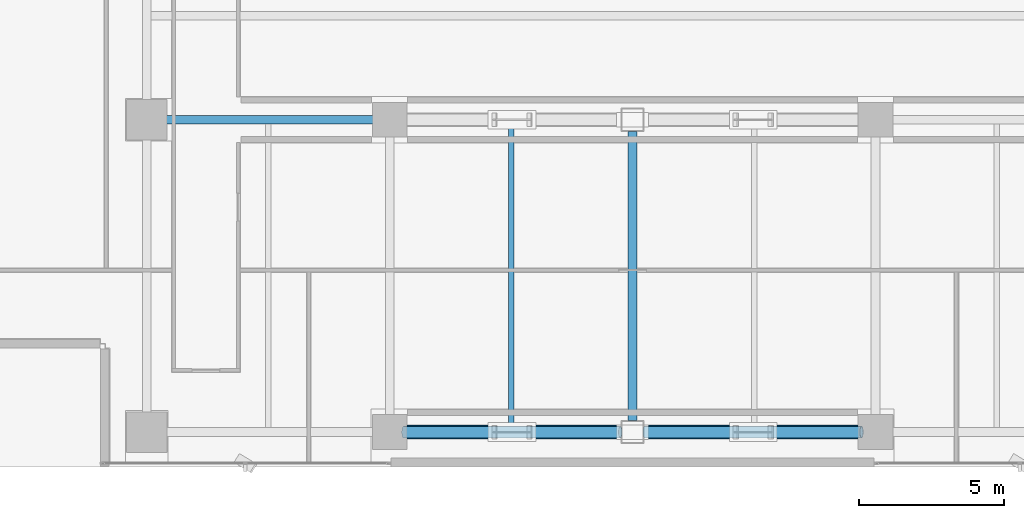
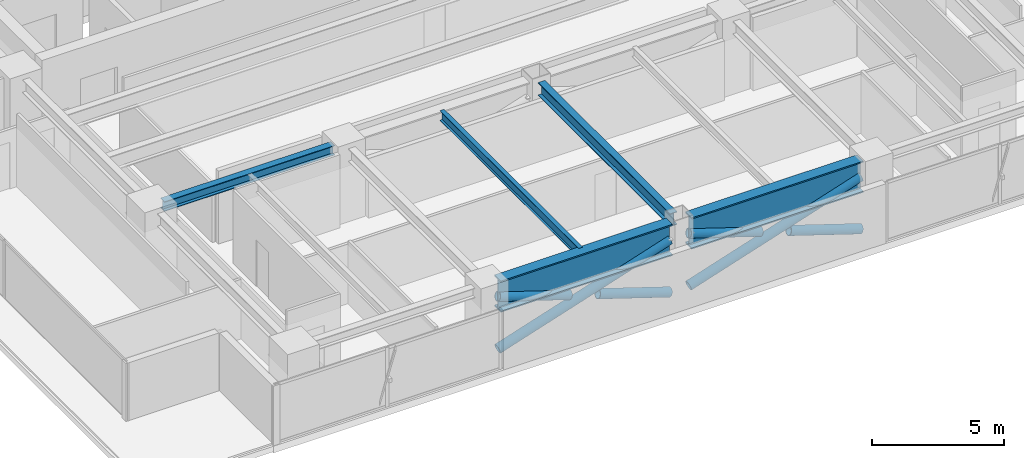
# One storey, part 5 of 27: 6 members, 5 beams.
"""IFC4 building model written with IfcOpenShell, lengths in metres."""

import ifcopenshell
import ifcopenshell.guid

model = None  # the IFC model being written
_history = None  # IfcOwnerHistory: only IFC2X3 demands one
_inside = {}  # id of a spatial element -> (the spatial element, [elements in it])
_under = {}  # id of a project, library or spatial element -> (it, [spatial elements below it])
_declared = {}  # id of a project -> (the project, [libraries it declares])
_typed = {}  # id of a type object -> (the type object, [elements of that type])
_made_of = {}  # id of a material, layer set ... -> (it, [elements and type objects made of it])


def new_model(schema):
    """Start an empty IFC model of exactly this schema.

    Asked for "IFC4X3", IfcOpenShell would pick the latest addendum, in which some entities
    have other attributes; the version numbers below select the first issue.
    IFC2X3 requires an IfcOwnerHistory on every rooted entity: one is made here for all.
    """
    global model, _history
    if schema == "IFC4X3":
        model = ifcopenshell.file(schema_version=(4, 3, 0, 0))
    else:
        model = ifcopenshell.file(schema=schema)
    _inside.clear()
    _under.clear()
    _declared.clear()
    _typed.clear()
    _made_of.clear()
    _history = None
    if model.schema == "IFC2X3":
        org = make("IfcOrganization", Name="unknown")
        user = make(
            "IfcPersonAndOrganization",
            ThePerson=make("IfcPerson", FamilyName="unknown"),
            TheOrganization=org,
        )
        app = make(
            "IfcApplication",
            ApplicationDeveloper=org,
            Version="unknown",
            ApplicationFullName="unknown",
            ApplicationIdentifier="unknown",
        )
        _history = make(
            "IfcOwnerHistory",
            OwningUser=user,
            OwningApplication=app,
            ChangeAction="ADDED",
            CreationDate=0,
        )
    return model


def make(cls, **values):
    """One entity of the class cls with the attributes given. An attribute that is None is left unset."""
    return model.create_entity(
        cls, **{name: value for name, value in values.items() if value is not None}
    )


def rooted(cls, **values):
    """An entity with a GlobalId (a new one), such as an element, a storey or a relation."""
    return make(cls, GlobalId=ifcopenshell.guid.new(), OwnerHistory=_history, **values)


def si_unit(unit_type, name, prefix=None):
    """IfcSIUnit, for example si_unit("LENGTHUNIT", "METRE", prefix="MILLI")."""
    return make("IfcSIUnit", UnitType=unit_type, Prefix=prefix, Name=name)


def assignment(units):
    """IfcUnitAssignment: the units of a project."""
    return None if units is None else make("IfcUnitAssignment", Units=units)


def point(xyz):
    """IfcCartesianPoint."""
    return None if xyz is None else make("IfcCartesianPoint", Coordinates=xyz)


def direction(xyz):
    """IfcDirection."""
    return None if xyz is None else make("IfcDirection", DirectionRatios=xyz)


def frame(location, z_axis=None, x_axis=None):
    """IfcAxis2Placement3D, a coordinate frame: its origin and axes. An axis left out is left unset."""
    return make(
        "IfcAxis2Placement3D",
        Location=point(location),
        Axis=direction(z_axis),
        RefDirection=direction(x_axis),
    )


def frame_2d(location, x_axis=None):
    """IfcAxis2Placement2D, a coordinate frame in the plane: its origin and x axis."""
    return make(
        "IfcAxis2Placement2D", Location=point(location), RefDirection=direction(x_axis)
    )


def origin():
    """The frame at (0, 0, 0) with its axes left unset."""
    return frame((0.0, 0.0, 0.0))


def origin_2d():
    """The frame at (0, 0) in the plane with its x axis left unset."""
    return frame_2d((0.0, 0.0))


def place(relative_to, where):
    """IfcLocalPlacement: puts the frame where relative to a parent placement (None: the world)."""
    return make(
        "IfcLocalPlacement", PlacementRelTo=relative_to, RelativePlacement=where
    )


def context(
    kind, dimensions, precision=None, world=None, true_north=None, identifier=None
):
    """IfcGeometricRepresentationContext, for example the 3D "Model" context."""
    return make(
        "IfcGeometricRepresentationContext",
        ContextIdentifier=identifier,
        ContextType=kind,
        CoordinateSpaceDimension=dimensions,
        Precision=precision,
        WorldCoordinateSystem=world,
        TrueNorth=true_north,
    )


def subcontext(parent, identifier, kind, view, scale=None):
    """IfcGeometricRepresentationSubContext, for example "Body" below "Model"."""
    return make(
        "IfcGeometricRepresentationSubContext",
        ContextIdentifier=identifier,
        ContextType=kind,
        ParentContext=parent,
        TargetScale=scale,
        TargetView=view,
    )


def project(units=None, contexts=None):
    """IfcProject with its units and contexts."""
    return rooted(
        "IfcProject",
        Name="project",
        RepresentationContexts=contexts,
        UnitsInContext=assignment(units),
    )


def spatial(cls, under=None, at=None, **own):
    """A site, building, storey or space (cls), placed at a placement, below another one or the project."""
    s = rooted(cls, ObjectPlacement=at, **own)
    if under is not None:
        _under.setdefault(under.id(), (under, []))[1].append(s)
    return s


def profile(cls, at=None, kind="AREA", **sizes):
    """A parametric profile (cls). Its sizes go by their IFC names, for example OverallWidth=200.0."""
    return make(cls, ProfileType=kind, Position=at, **sizes)


def hollow_circle(**sizes):
    """IfcCircleHollowProfileDef."""
    return profile("IfcCircleHollowProfileDef", **sizes)


def i_section(**sizes):
    """IfcIShapeProfileDef."""
    return profile("IfcIShapeProfileDef", **sizes)


def extrude(swept, where, along, depth):
    """IfcExtrudedAreaSolid: the profile swept, set in the frame where, extruded along a direction by depth."""
    return make(
        "IfcExtrudedAreaSolid",
        SweptArea=swept,
        Position=where,
        ExtrudedDirection=direction(along),
        Depth=depth,
    )


def shape(context_of_items, identifier, shape_type, items):
    """IfcShapeRepresentation: the items that make up one representation, for example the "Body"."""
    return make(
        "IfcShapeRepresentation",
        ContextOfItems=context_of_items,
        RepresentationIdentifier=identifier,
        RepresentationType=shape_type,
        Items=items,
    )


def source(mapping_origin, context_of_items, identifier, shape_type, items):
    """IfcRepresentationMap: a shape defined once, which mapped items show again and again."""
    return make(
        "IfcRepresentationMap",
        MappingOrigin=mapping_origin,
        MappedRepresentation=shape(context_of_items, identifier, shape_type, items),
    )


def transform(
    local_origin,
    x_axis=None,
    y_axis=None,
    z_axis=None,
    scale=None,
    scale2=None,
    scale3=None,
    uniform=True,
):
    """IfcCartesianTransformationOperator3D, or its non-uniform kind. x_axis, y_axis, z_axis: its Axis1, 2, 3."""
    if uniform:
        return make(
            "IfcCartesianTransformationOperator3D",
            Axis1=direction(x_axis),
            Axis2=direction(y_axis),
            LocalOrigin=point(local_origin),
            Scale=scale,
            Axis3=direction(z_axis),
        )
    return make(
        "IfcCartesianTransformationOperator3DnonUniform",
        Axis1=direction(x_axis),
        Axis2=direction(y_axis),
        LocalOrigin=point(local_origin),
        Scale=scale,
        Axis3=direction(z_axis),
        Scale2=scale2,
        Scale3=scale3,
    )


def mapped(mapping_source, mapping_target):
    """IfcMappedItem: shows the shape of a source again, moved by a transform."""
    return make(
        "IfcMappedItem", MappingSource=mapping_source, MappingTarget=mapping_target
    )


def material(Name=None, Category=None):
    """IfcMaterial."""
    return make("IfcMaterial", Name=Name, Category=Category)


def material_profile(
    of_material, cross_section, Name=None, Category=None, Priority=None
):
    """IfcMaterialProfile: a cross section and its material."""
    return make(
        "IfcMaterialProfile",
        Name=Name,
        Material=of_material,
        Profile=cross_section,
        Priority=Priority,
        Category=Category,
    )


def profile_set(profiles, Name=None, composite=None):
    """IfcMaterialProfileSet."""
    return make(
        "IfcMaterialProfileSet",
        Name=Name,
        MaterialProfiles=profiles,
        CompositeProfile=composite,
    )


def made_of(thing, what):
    """Note that an element or type object is made of a material, layer set ...; save() writes the relation."""
    if what is not None:
        _made_of.setdefault(what.id(), (what, []))[1].append(thing)
    return thing


def type_object(cls, material=None, **own):
    """A type object (cls), such as IfcWallType, which elements share."""
    return made_of(rooted(cls, **own), material)


def element(
    cls,
    number,
    at=None,
    inside=None,
    cuts=None,
    type_object=None,
    material=None,
    context=None,
    identifier="Body",
    shape_type=None,
    held_by="IfcProductDefinitionShape",
    body=None,
    shapes=None,
    **own,
):
    """One element of the class cls, such as IfcWall. Its Tag is "e" and its number.

    at: its placement. inside: the storey or other place that contains it. cuts: it is an
    opening in that element (IfcRelVoidsElement). A single representation is given by context,
    identifier, shape_type and body (its items); several are given by shapes. held_by: the class
    of the entity that holds the representations. save() writes the other relations.
    """
    e = rooted(cls, Tag="e%d" % number, ObjectPlacement=at, **own)
    if body is not None:
        shapes = [shape(context, identifier, shape_type, body)]
    if shapes is not None:
        e.Representation = make(held_by, Representations=shapes)
    if inside is not None:
        _inside.setdefault(inside.id(), (inside, []))[1].append(e)
    if cuts is not None:
        rooted(
            "IfcRelVoidsElement", RelatingBuildingElement=cuts, RelatedOpeningElement=e
        )
    if type_object is not None:
        _typed.setdefault(type_object.id(), (type_object, []))[1].append(e)
    return made_of(e, material)


def aggregate(whole, parts):
    """IfcRelAggregates: a whole, such as a stair, and the parts it consists of."""
    return rooted("IfcRelAggregates", RelatingObject=whole, RelatedObjects=parts)


def save(model, path):
    """Write the relations noted so far, then the file.

    IfcRelAggregates (storeys below a building ...), IfcRelContainedInSpatialStructure (elements
    in a storey), IfcRelDefinesByType, IfcRelAssociatesMaterial and IfcRelDeclares: one each for
    every whole, place, type object, material and project.
    """
    for whole, parts in _under.values():
        aggregate(whole, parts)
    for where, things in _inside.values():
        rooted(
            "IfcRelContainedInSpatialStructure",
            RelatedElements=things,
            RelatingStructure=where,
        )
    for kind, things in _typed.values():
        rooted("IfcRelDefinesByType", RelatedObjects=things, RelatingType=kind)
    for what, things in _made_of.values():
        rooted("IfcRelAssociatesMaterial", RelatedObjects=things, RelatingMaterial=what)
    for by, libraries in _declared.values():
        rooted("IfcRelDeclares", RelatingContext=by, RelatedDefinitions=libraries)
    model.write(path)


model = new_model("IFC4")

# Units and contexts
model_context = context("Model", 3, precision=1e-05, world=origin(), true_north=direction((0.0, 1.0)))
body_context = subcontext(model_context, "Body", "Model", "MODEL_VIEW")
ifc_project = project(units=[si_unit("LENGTHUNIT", "METRE"), si_unit("AREAUNIT", "SQUARE_METRE"), si_unit("VOLUMEUNIT", "CUBIC_METRE"), si_unit("PLANEANGLEUNIT", "RADIAN"), si_unit("MASSUNIT", "GRAM", prefix="KILO")], contexts=[model_context])

# Site, building, storey
site_placement = place(None, origin())
site = spatial("IfcSite", under=ifc_project, at=site_placement, CompositionType="ELEMENT")
building_placement = place(site_placement, origin())
building = spatial("IfcBuilding", under=site, at=building_placement, Name="Sumidabori Civic Tower", CompositionType="ELEMENT")
storey_placement = place(building_placement, frame((0.0, 0.0, 228.800048828125)))
storey = spatial("IfcBuildingStorey", under=building, at=storey_placement, Name="L59", CompositionType="ELEMENT", Elevation=228.800048828125)

# Beams
ifc_material_1 = material(Name="Steel SN490", Category="steel")
ifc_material_profile_1 = material_profile(ifc_material_1, i_section(OverallWidth=0.300048828125, OverallDepth=0.449951171875, WebThickness=0.013916015625, FlangeThickness=0.02587890625, at=origin_2d()), Name="HE 450 B")
ifc_profile_set_1 = profile_set([ifc_material_profile_1], Name="Steel SN490")
beam_type_1 = type_object("IfcBeamType", Name="BM-GIRD-450", PredefinedType="BEAM", material=ifc_profile_set_1)
shared_shape_1 = source(origin(), body_context, "Body", "SweptSolid", [
    extrude(i_section(OverallWidth=0.300048828125, OverallDepth=0.449951171875, WebThickness=0.013916015625, FlangeThickness=0.02587890625, at=origin_2d()), origin(), (0.0, 0.0, 1.0), 7.440185546875),
])
beam_1_placement = place(storey_placement, frame((-16.320068359375, 0.0, 3.14501953125), z_axis=(1.0, 0.0, 0.0), x_axis=(0.0, 1.0, 0.0)))
element("IfcBeam", 1, at=beam_1_placement, inside=storey, type_object=beam_type_1, Name="Primary Girder L59 GX-03", PredefinedType="BEAM", context=body_context, shape_type="MappedRepresentation", body=[
    mapped(shared_shape_1, transform((0.0, 0.0, 0.0), x_axis=(1.0, 0.0, 0.0), y_axis=(0.0, 1.0, 0.0), z_axis=(0.0, 0.0, 1.0), scale=1.0)),
])
ifc_material_profile_2 = material_profile(ifc_material_1, i_section(OverallWidth=0.300048828125, OverallDepth=0.60009765625, WebThickness=0.015380859375, FlangeThickness=0.030029296875, at=origin_2d()), Name="HE 600 B")
ifc_profile_set_2 = profile_set([ifc_material_profile_2], Name="Steel SN490")
beam_type_2 = type_object("IfcBeamType", Name="BM-GIRD-600", PredefinedType="BEAM", material=ifc_profile_set_2)
shared_shape_2 = source(origin(), body_context, "Body", "SweptSolid", [
    extrude(i_section(OverallWidth=0.300048828125, OverallDepth=0.60009765625, WebThickness=0.015380859375, FlangeThickness=0.030029296875, at=origin_2d()), origin(), (0.0, 0.0, 1.0), 10.0),
])
beam_2_placement = place(storey_placement, frame((0.0, -10.39990234375, 3.070068359375), z_axis=(0.0, 1.0, 0.0), x_axis=(-1.0, 0.0, 0.0)))
element("IfcBeam", 2, at=beam_2_placement, inside=storey, type_object=beam_type_2, Name="Primary Girder L59 GY-09", PredefinedType="BEAM", context=body_context, shape_type="MappedRepresentation", body=[
    mapped(shared_shape_2, transform((0.0, 0.0, 0.0), x_axis=(1.0, 0.0, 0.0), y_axis=(0.0, 1.0, 0.0), z_axis=(0.0, 0.0, 1.0), scale=1.0)),
])
ifc_material_profile_3 = material_profile(ifc_material_1, i_section(OverallWidth=0.18994140625, OverallDepth=0.449951171875, WebThickness=0.009521484375, FlangeThickness=0.0146484375, at=origin_2d()), Name="IPE 450")
ifc_profile_set_3 = profile_set([ifc_material_profile_3], Name="Steel SN490")
beam_type_3 = type_object("IfcBeamType", Name="BM-JST-450", PredefinedType="JOIST", material=ifc_profile_set_3)
shared_shape_3 = source(origin(), body_context, "Body", "SweptSolid", [
    extrude(i_section(OverallWidth=0.18994140625, OverallDepth=0.449951171875, WebThickness=0.009521484375, FlangeThickness=0.0146484375, at=origin_2d()), origin(), (0.0, 0.0, 1.0), 10.5),
])
beam_3_placement = place(storey_placement, frame((-4.199951171875, -10.64990234375, 3.14501953125), z_axis=(0.0, 1.0, 0.0), x_axis=(-1.0, 0.0, 0.0)))
element("IfcBeam", 3, at=beam_3_placement, inside=storey, type_object=beam_type_3, Name="Upper Lens N-S Floor Joist L59 JSTV-17", PredefinedType="JOIST", context=body_context, shape_type="MappedRepresentation", body=[
    mapped(shared_shape_3, transform((0.0, 0.0, 0.0), x_axis=(1.0, 0.0, 0.0), y_axis=(0.0, 1.0, 0.0), z_axis=(0.0, 0.0, 1.0), scale=1.0)),
])
ifc_material_2 = material(Name="Steel SM570", Category="steel")
ifc_material_profile_4 = material_profile(ifc_material_2, i_section(OverallWidth=0.47998046875, OverallDepth=1.449951171875, WebThickness=0.033935546875, FlangeThickness=0.06005859375, at=origin_2d()), Name="WTG 1450x480")
ifc_profile_set_4 = profile_set([ifc_material_profile_4], Name="Steel SM570")
beam_type_4 = type_object("IfcBeamType", Name="BM-PT-CHORD", PredefinedType="BEAM", material=ifc_profile_set_4)
shared_shape_4 = source(origin(), body_context, "Body", "SweptSolid", [
    extrude(i_section(OverallWidth=0.47998046875, OverallDepth=1.449951171875, WebThickness=0.033935546875, FlangeThickness=0.06005859375, at=origin_2d()), origin(), (0.0, 0.0, 1.0), 7.5),
])
for number, where, z_axis, x_axis, name in (
    (4, (-7.919921875, -10.800048828125, 2.64501953125), (1.0, 0.0, 0.0), (0.0, 1.0, 0.0), "Portal Bridge Transfer Truss Top Chord PT1-T1"),
    (5, (0.419921875, -10.800048828125, 2.64501953125), (1.0, 0.0, 0.0), (0.0, 1.0, 0.0), "Portal Bridge Transfer Truss Top Chord PT1-T2"),
):
    element("IfcBeam", number, at=place(storey_placement, frame(where, z_axis=z_axis, x_axis=x_axis)), inside=storey, type_object=beam_type_4, Name=name, PredefinedType="BEAM", context=body_context, shape_type="MappedRepresentation", body=[
        mapped(shared_shape_4, transform((0.0, 0.0, 0.0), x_axis=(1.0, 0.0, 0.0), y_axis=(0.0, 1.0, 0.0), z_axis=(0.0, 0.0, 1.0), scale=1.0)),
    ])

# Members
ifc_material_profile_5 = material_profile(ifc_material_1, hollow_circle(Radius=0.203125, WallThickness=0.02001953125, at=origin_2d()), Name="CHS 406.4x20")
ifc_profile_set_5 = profile_set([ifc_material_profile_5], Name="Steel SN490")
member_type = type_object("IfcMemberType", Name="MB-PT-DIAG", PredefinedType="BRACE", material=ifc_profile_set_5)
shared_shape_5 = source(origin(), body_context, "Body", "SweptSolid", [
    extrude(hollow_circle(Radius=0.203125, WallThickness=0.02001953125, at=origin_2d()), origin(), (0.0, 0.0, 1.0), 7.88232421875),
])
for number, where, z_axis, x_axis, name in (
    (6, (-7.919921875, -10.800048828125, 0.099853515625), (0.951497331226, 0.0, 0.307656998407), (0.0, 1.0, 0.0), "Portal Bridge Truss Diagonal PT1-D1-1"),
    (7, (0.419921875, -10.800048828125, 0.099853515625), (0.951497331226, 0.0, 0.307656998407), (0.0, 1.0, 0.0), "Portal Bridge Truss Diagonal PT1-D1-2"),
):
    element("IfcMember", number, at=place(storey_placement, frame(where, z_axis=z_axis, x_axis=x_axis)), inside=storey, type_object=member_type, Name=name, PredefinedType="BRACE", context=body_context, shape_type="MappedRepresentation", body=[
        mapped(shared_shape_5, transform((0.0, 0.0, 0.0), x_axis=(1.0, 0.0, 0.0), y_axis=(0.0, 1.0, 0.0), z_axis=(0.0, 0.0, 1.0), scale=1.0)),
    ])
shared_shape_6 = source(origin(), body_context, "Body", "SweptSolid", [
    extrude(hollow_circle(Radius=0.203125, WallThickness=0.02001953125, at=origin_2d()), origin(), (0.0, 0.0, 1.0), 3.2919921875),
])
for number, where, z_axis, x_axis, name in (
    (8, (-7.919921875, -10.800048828125, 2.52490234375), (0.951507104485, 0.0, -0.307626770803), (0.0, 1.0, 0.0), "Portal Bridge Truss Diagonal PT1-D2-1 Lower Segment"),
    (9, (4.78759765625, -10.800048828125, 1.11279296875), (0.951485394525, 0.0, -0.307693912851), (0.0, 1.0, 0.0), "Portal Bridge Truss Diagonal PT1-D2-2 Upper Segment"),
):
    element("IfcMember", number, at=place(storey_placement, frame(where, z_axis=z_axis, x_axis=x_axis)), inside=storey, type_object=member_type, Name=name, PredefinedType="BRACE", context=body_context, shape_type="MappedRepresentation", body=[
        mapped(shared_shape_6, transform((0.0, 0.0, 0.0), x_axis=(1.0, 0.0, 0.0), y_axis=(0.0, 1.0, 0.0), z_axis=(0.0, 0.0, 1.0), scale=1.0)),
    ])
shared_shape_7 = source(origin(), body_context, "Body", "SweptSolid", [
    extrude(hollow_circle(Radius=0.203125, WallThickness=0.02001953125, at=origin_2d()), origin(), (0.0, 0.0, 1.0), 3.292236328125),
])
for number, where, z_axis, x_axis, name in (
    (10, (-3.552490234375, -10.800048828125, 1.11279296875), (0.951492415013, 0.0, -0.30767220247), (0.0, 1.0, 0.0), "Portal Bridge Truss Diagonal PT1-D2-1 Upper Segment"),
    (11, (0.419921875, -10.800048828125, 2.52490234375), (0.95151412207, 0.0, -0.307605064168), (0.0, 1.0, 0.0), "Portal Bridge Truss Diagonal PT1-D2-2 Lower Segment"),
):
    element("IfcMember", number, at=place(storey_placement, frame(where, z_axis=z_axis, x_axis=x_axis)), inside=storey, type_object=member_type, Name=name, PredefinedType="BRACE", context=body_context, shape_type="MappedRepresentation", body=[
        mapped(shared_shape_7, transform((0.0, 0.0, 0.0), x_axis=(1.0, 0.0, 0.0), y_axis=(0.0, 1.0, 0.0), z_axis=(0.0, 0.0, 1.0), scale=1.0)),
    ])

save(model, "model.ifc")
